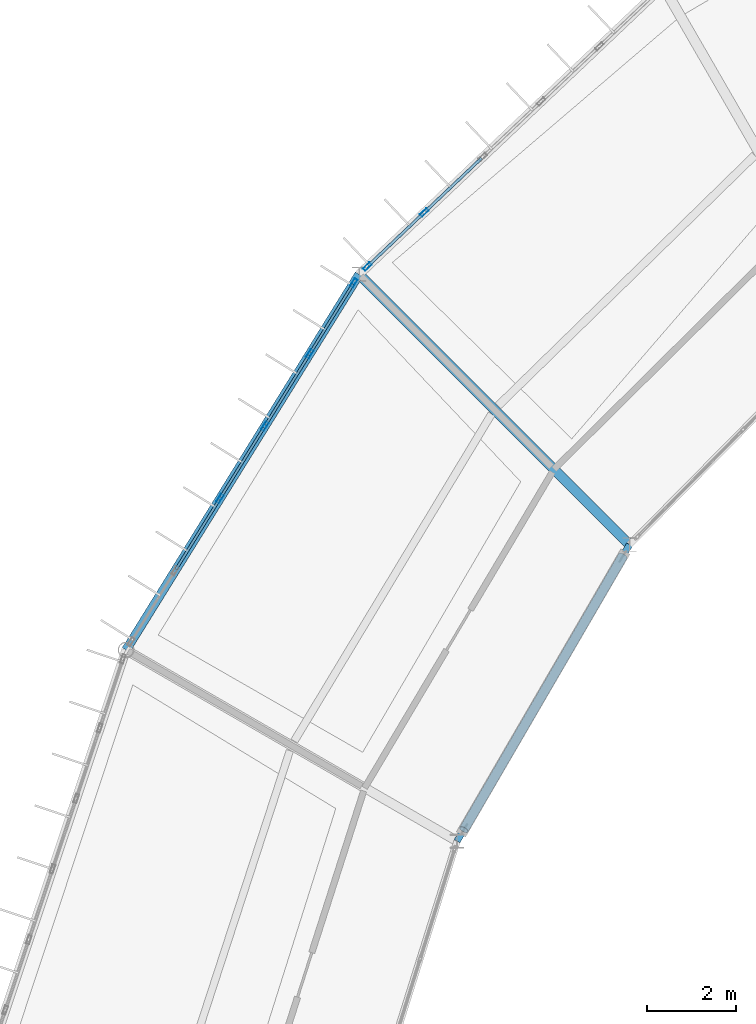
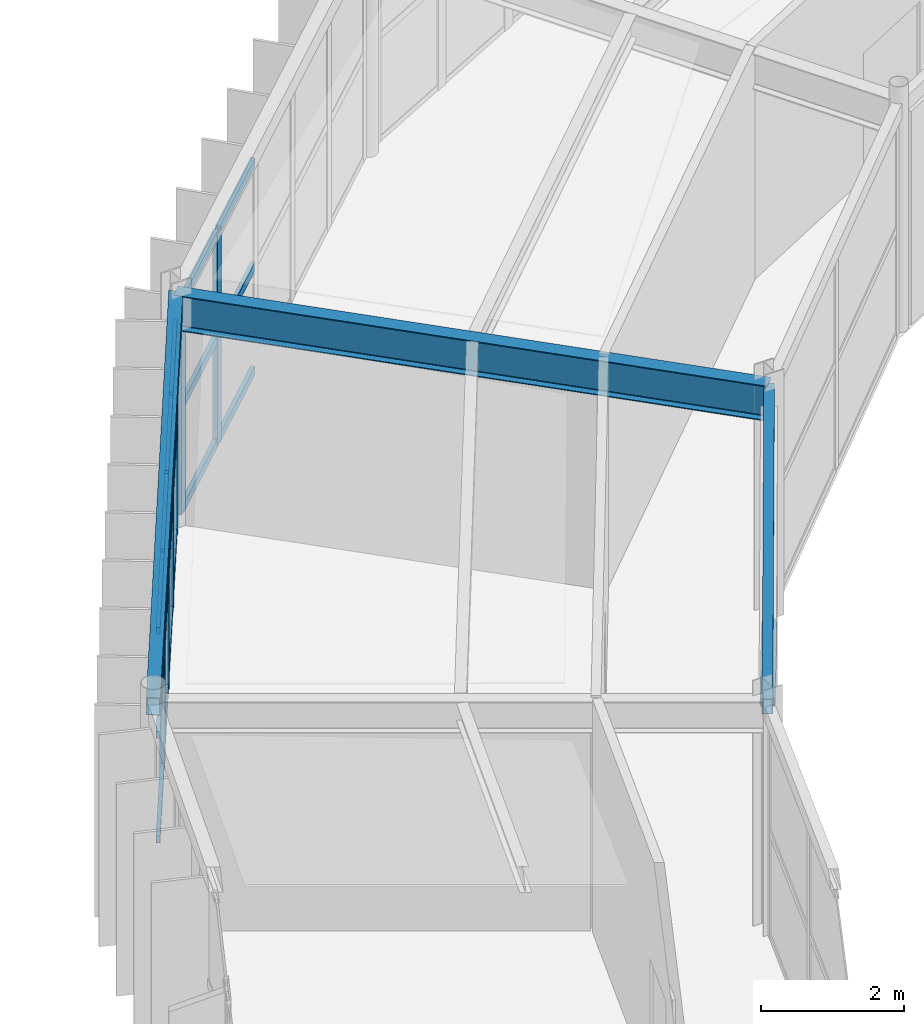
# One storey, part 74 of 148: 25 members, 3 beams, 2 elements without a shape of their own.
"""IFC4 building model written with IfcOpenShell, lengths in metres."""

from ifc_helpers import new_model, si_unit, direction, frame, origin, origin_2d, place, context, subcontext, project, spatial, hollow_rectangle, hollow_circle, i_section, extrude, material, material_profile, profile_set, type_object, element, aggregate, save


model = new_model("IFC4")

# Units and contexts
model_context = context("Model", 3, precision=1e-05, world=origin(), true_north=direction((0.0, 1.0)))
body_context = subcontext(model_context, "Body", "Model", "MODEL_VIEW")
ifc_project = project(units=[si_unit("LENGTHUNIT", "METRE"), si_unit("AREAUNIT", "SQUARE_METRE"), si_unit("VOLUMEUNIT", "CUBIC_METRE"), si_unit("PLANEANGLEUNIT", "RADIAN"), si_unit("MASSUNIT", "GRAM", prefix="KILO")], contexts=[model_context])

# Site, building, storey
site_placement = place(None, origin())
site = spatial("IfcSite", under=ifc_project, at=site_placement, CompositionType="ELEMENT")
building_placement = place(site_placement, origin())
building = spatial("IfcBuilding", under=site, at=building_placement, Name="Karori Crest Natural Sciences Institute", CompositionType="ELEMENT")
storey_placement = place(building_placement, frame((0.0, 0.0, 4.89990234375)))
storey = spatial("IfcBuildingStorey", under=building, at=storey_placement, Name="L01", CompositionType="ELEMENT", Elevation=4.89990234375)

# Beams
ifc_material_1 = material(Name="Hollow structural steel AS/NZS 1163 Grade C350", Category="steel")
ifc_material_profile_1 = material_profile(ifc_material_1, hollow_rectangle(XDim=0.199951171875, YDim=0.300048828125, WallThickness=0.010009765625, at=origin_2d()), Name="RHS300x200x10")
ifc_profile_set_1 = profile_set([ifc_material_profile_1], Name="Hollow structural steel AS/NZS 1163 Grade C350")
beam_type_1 = type_object("IfcBeamType", Name="BT-15", PredefinedType="SPANDREL", material=ifc_profile_set_1)
beam_1_placement = place(storey_placement, frame((43.0654296875, 78.75, 3.7900390625), z_axis=(-0.527315195609, -0.849669750244, 0.0), x_axis=(0.849669750244, -0.527315195609, 0.0)))
element("IfcBeam", 1, at=beam_1_placement, inside=storey, type_object=beam_type_1, Name="Beam B-0215", PredefinedType="SPANDREL", context=body_context, shape_type="SweptSolid", body=[
    extrude(hollow_rectangle(XDim=0.199951171875, YDim=0.300048828125, WallThickness=0.010009765625, at=origin_2d()), origin(), (0.0, 0.0, 1.0), 9.945068359375),
])
ifc_material_profile_2 = material_profile(ifc_material_1, hollow_rectangle(XDim=0.14990234375, YDim=0.25, WallThickness=0.009033203125, at=origin_2d()), Name="RHS250x150x9")
ifc_profile_set_2 = profile_set([ifc_material_profile_2], Name="Hollow structural steel AS/NZS 1163 Grade C350")
beam_type_2 = type_object("IfcBeamType", Name="BT-16", PredefinedType="SPANDREL", material=ifc_profile_set_2)
beam_2_placement = place(storey_placement, frame((49.146484375, 72.668701171875, 3.7900390625), z_axis=(-0.502648511326, -0.864490875638, 0.0), x_axis=(0.864490875638, -0.502648511326, 0.0)))
element("IfcBeam", 2, at=beam_2_placement, inside=storey, type_object=beam_type_2, Name="Beam B-0216", PredefinedType="SPANDREL", context=body_context, shape_type="SweptSolid", body=[
    extrude(hollow_rectangle(XDim=0.14990234375, YDim=0.25, WallThickness=0.009033203125, at=origin_2d()), origin(), (0.0, 0.0, 1.0), 7.714111328125),
])
ifc_material_2 = material(Name="Structural steel AS/NZS 3679.1 Grade 350", Category="steel")
ifc_material_profile_3 = material_profile(ifc_material_2, i_section(OverallWidth=0.22802734375, OverallDepth=0.60205078125, WebThickness=0.010498046875, FlangeThickness=0.014892578125, FilletRadius=0.013916015625, at=origin_2d()), Name="610UB101")
ifc_profile_set_3 = profile_set([ifc_material_profile_3], Name="Structural steel AS/NZS 3679.1 Grade 350")
beam_type_3 = type_object("IfcBeamType", Name="BT-27", PredefinedType="BEAM", material=ifc_profile_set_3)
beam_3_placement = place(storey_placement, frame((49.146484375, 72.668701171875, 3.63916015625), z_axis=(-0.707092586958, 0.70712097513, 0.0), x_axis=(-0.70712097513, -0.707092586958, 0.0)))
element("IfcBeam", 3, at=beam_3_placement, inside=storey, type_object=beam_type_3, Name="Beam B-0217", PredefinedType="BEAM", context=body_context, shape_type="SweptSolid", body=[
    extrude(i_section(OverallWidth=0.22802734375, OverallDepth=0.60205078125, WebThickness=0.010498046875, FlangeThickness=0.014892578125, FilletRadius=0.013916015625, at=origin_2d()), origin(), (0.0, 0.0, 1.0), 8.60009765625),
])

# Curtain wall, members
ifc_material_3 = material(Name="Anodised architectural aluminium 6063-T6", Category="aluminium")
curtain_wall_type_1 = type_object("IfcCurtainWallType", Name="CWT-09", PredefinedType="NOTDEFINED", material=ifc_material_3)
curtain_wall_1_placement = place(storey_placement, origin())
curtain_wall_1 = element("IfcCurtainWall", 4, at=curtain_wall_1_placement, inside=storey, type_object=curtain_wall_type_1, Name="Curtain wall CW-0042", PredefinedType="NOTDEFINED")
ifc_material_profile_4 = material_profile(ifc_material_3, hollow_rectangle(XDim=0.074951171875, YDim=0.199951171875, WallThickness=0.0048828125, at=origin_2d()), Name="CWM200x75x5")
ifc_profile_set_4 = profile_set([ifc_material_profile_4], Name="Anodised architectural aluminium 6063-T6")
member_type_1 = type_object("IfcMemberType", Name="CWM-02", PredefinedType="MULLION", material=ifc_profile_set_4)
member_1_placement = place(storey_placement, frame((43.246826171875, 78.921875, 0.0), z_axis=(0.0, 0.0, 1.0), x_axis=(-0.688250886925, 0.725472753897, 0.0)))
member_1 = element("IfcMember", 5, at=member_1_placement, type_object=member_type_1, Name="CW-0042 mullion 1", PredefinedType="MULLION", context=body_context, shape_type="SweptSolid", body=[
    extrude(hollow_rectangle(XDim=0.074951171875, YDim=0.199951171875, WallThickness=0.0048828125, at=origin_2d()), origin(), (0.0, 0.0, 1.0), 3.625),
])
member_2_placement = place(storey_placement, frame((44.532470703125, 80.1416015625, 0.0), z_axis=(0.0, 0.0, 1.0), x_axis=(-0.688250886925, 0.725472753897, 0.0)))
member_2 = element("IfcMember", 6, at=member_2_placement, type_object=member_type_1, Name="CW-0042 mullion 2", PredefinedType="MULLION", context=body_context, shape_type="SweptSolid", body=[
    extrude(hollow_rectangle(XDim=0.074951171875, YDim=0.199951171875, WallThickness=0.0048828125, at=origin_2d()), origin(), (0.0, 0.0, 1.0), 3.625),
])

curtain_wall_type_2 = type_object("IfcCurtainWallType", Name="CWT-10", PredefinedType="NOTDEFINED", material=ifc_material_3)
curtain_wall_2_placement = place(storey_placement, origin())
curtain_wall_2 = element("IfcCurtainWall", 7, at=curtain_wall_2_placement, inside=storey, type_object=curtain_wall_type_2, Name="Curtain wall CW-0044", PredefinedType="NOTDEFINED")
member_3_placement = place(storey_placement, frame((39.934326171875, 73.704833984375, 0.0), z_axis=(0.0, 0.0, 1.0), x_axis=(-0.849662102168, 0.527327518853, 0.0)))
member_3 = element("IfcMember", 8, at=member_3_placement, type_object=member_type_1, Name="CW-0044 mullion 3", PredefinedType="MULLION", context=body_context, shape_type="SweptSolid", body=[
    extrude(hollow_rectangle(XDim=0.074951171875, YDim=0.199951171875, WallThickness=0.0048828125, at=origin_2d()), origin(), (0.0, 0.0, 1.0), 3.625),
])
member_4_placement = place(storey_placement, frame((40.944580078125, 75.332763671875, 0.0), z_axis=(0.0, 0.0, 1.0), x_axis=(-0.849662102168, 0.527327518853, 0.0)))
member_4 = element("IfcMember", 9, at=member_4_placement, type_object=member_type_1, Name="CW-0044 mullion 4", PredefinedType="MULLION", context=body_context, shape_type="SweptSolid", body=[
    extrude(hollow_rectangle(XDim=0.074951171875, YDim=0.199951171875, WallThickness=0.0048828125, at=origin_2d()), origin(), (0.0, 0.0, 1.0), 3.625),
])
member_5_placement = place(storey_placement, frame((41.954833984375, 76.96044921875, 0.0), z_axis=(0.0, 0.0, 1.0), x_axis=(-0.849662102168, 0.527327518853, 0.0)))
member_5 = element("IfcMember", 10, at=member_5_placement, type_object=member_type_1, Name="CW-0044 mullion 5", PredefinedType="MULLION", context=body_context, shape_type="SweptSolid", body=[
    extrude(hollow_rectangle(XDim=0.074951171875, YDim=0.199951171875, WallThickness=0.0048828125, at=origin_2d()), origin(), (0.0, 0.0, 1.0), 3.625),
])
member_6_placement = place(storey_placement, frame((42.9453125, 78.556396484375, 0.0), z_axis=(0.0, 0.0, 1.0), x_axis=(-0.849662102168, 0.527327518853, 0.0)))
member_6 = element("IfcMember", 11, at=member_6_placement, type_object=member_type_1, Name="CW-0044 mullion 6", PredefinedType="MULLION", context=body_context, shape_type="SweptSolid", body=[
    extrude(hollow_rectangle(XDim=0.074951171875, YDim=0.199951171875, WallThickness=0.0048828125, at=origin_2d()), origin(), (0.0, 0.0, 1.0), 3.625),
])
ifc_material_profile_5 = material_profile(ifc_material_3, hollow_rectangle(XDim=0.06005859375, YDim=0.1201171875, WallThickness=0.00390625, at=origin_2d()), Name="CWT120x60x4")
ifc_profile_set_5 = profile_set([ifc_material_profile_5], Name="Anodised architectural aluminium 6063-T6")
member_type_2 = type_object("IfcMemberType", Name="CWT-TR1", PredefinedType="USERDEFINED", material=ifc_profile_set_5)
member_7_placement = place(storey_placement, frame((38.94384765625, 72.109130859375, 0.030029296875), z_axis=(0.527349655317, 0.84964836317, 0.0), x_axis=(-0.84964836317, 0.527349655317, 0.0)))
member_7 = element("IfcMember", 12, at=member_7_placement, type_object=member_type_2, Name="CW-0044 transom 2.1", ObjectType="TRANSOM", PredefinedType="USERDEFINED", context=body_context, shape_type="SweptSolid", body=[
    extrude(hollow_rectangle(XDim=0.06005859375, YDim=0.1201171875, WallThickness=0.00390625, at=origin_2d()), origin(), (0.0, 0.0, 1.0), 1.8408203125),
])
member_8_placement = place(storey_placement, frame((38.94384765625, 72.109130859375, 1.8125), z_axis=(0.527349655317, 0.84964836317, 0.0), x_axis=(-0.84964836317, 0.527349655317, 0.0)))
member_8 = element("IfcMember", 13, at=member_8_placement, type_object=member_type_2, Name="CW-0044 transom 2.2", ObjectType="TRANSOM", PredefinedType="USERDEFINED", context=body_context, shape_type="SweptSolid", body=[
    extrude(hollow_rectangle(XDim=0.06005859375, YDim=0.1201171875, WallThickness=0.00390625, at=origin_2d()), origin(), (0.0, 0.0, 1.0), 1.8408203125),
])
member_9_placement = place(storey_placement, frame((38.94384765625, 72.109130859375, 3.59521484375), z_axis=(0.527349655317, 0.84964836317, 0.0), x_axis=(-0.84964836317, 0.527349655317, 0.0)))
member_9 = element("IfcMember", 14, at=member_9_placement, type_object=member_type_2, Name="CW-0044 transom 2.3", ObjectType="TRANSOM", PredefinedType="USERDEFINED", context=body_context, shape_type="SweptSolid", body=[
    extrude(hollow_rectangle(XDim=0.06005859375, YDim=0.1201171875, WallThickness=0.00390625, at=origin_2d()), origin(), (0.0, 0.0, 1.0), 1.8408203125),
])
member_10_placement = place(storey_placement, frame((39.9541015625, 73.73681640625, 0.030029296875), z_axis=(0.527349655317, 0.84964836317, 0.0), x_axis=(-0.84964836317, 0.527349655317, 0.0)))
member_10 = element("IfcMember", 15, at=member_10_placement, type_object=member_type_2, Name="CW-0044 transom 3.1", ObjectType="TRANSOM", PredefinedType="USERDEFINED", context=body_context, shape_type="SweptSolid", body=[
    extrude(hollow_rectangle(XDim=0.06005859375, YDim=0.1201171875, WallThickness=0.00390625, at=origin_2d()), origin(), (0.0, 0.0, 1.0), 1.8408203125),
])
member_11_placement = place(storey_placement, frame((39.9541015625, 73.73681640625, 1.8125), z_axis=(0.527349655317, 0.84964836317, 0.0), x_axis=(-0.84964836317, 0.527349655317, 0.0)))
member_11 = element("IfcMember", 16, at=member_11_placement, type_object=member_type_2, Name="CW-0044 transom 3.2", ObjectType="TRANSOM", PredefinedType="USERDEFINED", context=body_context, shape_type="SweptSolid", body=[
    extrude(hollow_rectangle(XDim=0.06005859375, YDim=0.1201171875, WallThickness=0.00390625, at=origin_2d()), origin(), (0.0, 0.0, 1.0), 1.8408203125),
])
member_12_placement = place(storey_placement, frame((39.9541015625, 73.73681640625, 3.59521484375), z_axis=(0.527349655317, 0.84964836317, 0.0), x_axis=(-0.84964836317, 0.527349655317, 0.0)))
member_12 = element("IfcMember", 17, at=member_12_placement, type_object=member_type_2, Name="CW-0044 transom 3.3", ObjectType="TRANSOM", PredefinedType="USERDEFINED", context=body_context, shape_type="SweptSolid", body=[
    extrude(hollow_rectangle(XDim=0.06005859375, YDim=0.1201171875, WallThickness=0.00390625, at=origin_2d()), origin(), (0.0, 0.0, 1.0), 1.8408203125),
])
member_13_placement = place(storey_placement, frame((40.96435546875, 75.364501953125, 0.030029296875), z_axis=(0.527349655317, 0.84964836317, 0.0), x_axis=(-0.84964836317, 0.527349655317, 0.0)))
member_13 = element("IfcMember", 18, at=member_13_placement, type_object=member_type_2, Name="CW-0044 transom 4.1", ObjectType="TRANSOM", PredefinedType="USERDEFINED", context=body_context, shape_type="SweptSolid", body=[
    extrude(hollow_rectangle(XDim=0.06005859375, YDim=0.1201171875, WallThickness=0.00390625, at=origin_2d()), origin(), (0.0, 0.0, 1.0), 1.8408203125),
])
member_14_placement = place(storey_placement, frame((40.96435546875, 75.364501953125, 1.8125), z_axis=(0.527349655317, 0.84964836317, 0.0), x_axis=(-0.84964836317, 0.527349655317, 0.0)))
member_14 = element("IfcMember", 19, at=member_14_placement, type_object=member_type_2, Name="CW-0044 transom 4.2", ObjectType="TRANSOM", PredefinedType="USERDEFINED", context=body_context, shape_type="SweptSolid", body=[
    extrude(hollow_rectangle(XDim=0.06005859375, YDim=0.1201171875, WallThickness=0.00390625, at=origin_2d()), origin(), (0.0, 0.0, 1.0), 1.8408203125),
])
member_15_placement = place(storey_placement, frame((40.96435546875, 75.364501953125, 3.59521484375), z_axis=(0.527349655317, 0.84964836317, 0.0), x_axis=(-0.84964836317, 0.527349655317, 0.0)))
member_15 = element("IfcMember", 20, at=member_15_placement, type_object=member_type_2, Name="CW-0044 transom 4.3", ObjectType="TRANSOM", PredefinedType="USERDEFINED", context=body_context, shape_type="SweptSolid", body=[
    extrude(hollow_rectangle(XDim=0.06005859375, YDim=0.1201171875, WallThickness=0.00390625, at=origin_2d()), origin(), (0.0, 0.0, 1.0), 1.8408203125),
])
member_16_placement = place(storey_placement, frame((41.974609375, 76.9921875, 0.030029296875), z_axis=(0.527319050253, 0.849667357994, 0.0), x_axis=(-0.849667357994, 0.527319050253, 0.0)))
member_16 = element("IfcMember", 21, at=member_16_placement, type_object=member_type_2, Name="CW-0044 transom 5.1", ObjectType="TRANSOM", PredefinedType="USERDEFINED", context=body_context, shape_type="SweptSolid", body=[
    extrude(hollow_rectangle(XDim=0.06005859375, YDim=0.1201171875, WallThickness=0.00390625, at=origin_2d()), origin(), (0.0, 0.0, 1.0), 1.80322265625),
])
member_17_placement = place(storey_placement, frame((41.974609375, 76.9921875, 1.8125), z_axis=(0.527319050253, 0.849667357994, 0.0), x_axis=(-0.849667357994, 0.527319050253, 0.0)))
member_17 = element("IfcMember", 22, at=member_17_placement, type_object=member_type_2, Name="CW-0044 transom 5.2", ObjectType="TRANSOM", PredefinedType="USERDEFINED", context=body_context, shape_type="SweptSolid", body=[
    extrude(hollow_rectangle(XDim=0.06005859375, YDim=0.1201171875, WallThickness=0.00390625, at=origin_2d()), origin(), (0.0, 0.0, 1.0), 1.80322265625),
])
member_18_placement = place(storey_placement, frame((41.974609375, 76.9921875, 3.59521484375), z_axis=(0.527319050253, 0.849667357994, 0.0), x_axis=(-0.849667357994, 0.527319050253, 0.0)))
member_18 = element("IfcMember", 23, at=member_18_placement, type_object=member_type_2, Name="CW-0044 transom 5.3", ObjectType="TRANSOM", PredefinedType="USERDEFINED", context=body_context, shape_type="SweptSolid", body=[
    extrude(hollow_rectangle(XDim=0.06005859375, YDim=0.1201171875, WallThickness=0.00390625, at=origin_2d()), origin(), (0.0, 0.0, 1.0), 1.80322265625),
])
aggregate(curtain_wall_2, [member_3, member_4, member_5, member_6, member_7, member_8, member_9, member_10, member_11, member_12, member_13, member_14, member_15, member_16, member_17, member_18])

# Member
ifc_material_profile_6 = material_profile(ifc_material_3, hollow_rectangle(XDim=0.06494140625, YDim=0.14990234375, WallThickness=0.00390625, at=origin_2d()), Name="CWT150x65x4")
ifc_profile_set_6 = profile_set([ifc_material_profile_6], Name="Anodised architectural aluminium 6063-T6")
member_type_3 = type_object("IfcMemberType", Name="CWT-TR2", PredefinedType="USERDEFINED", material=ifc_profile_set_6)
member_19_placement = place(storey_placement, frame((43.27392578125, 78.94775390625, 0.03271484375), z_axis=(0.725491325222, 0.6882313107, 0.0), x_axis=(-0.6882313107, 0.725491325222, 0.0)))
member_19 = element("IfcMember", 24, at=member_19_placement, type_object=member_type_3, Name="CW-0042 transom 1.1", ObjectType="TRANSOM", PredefinedType="USERDEFINED", context=body_context, shape_type="SweptSolid", body=[
    extrude(hollow_rectangle(XDim=0.06494140625, YDim=0.14990234375, WallThickness=0.00390625, at=origin_2d()), origin(), (0.0, 0.0, 1.0), 1.697021484375),
])

member_20_placement = place(storey_placement, frame((43.27392578125, 78.94775390625, 1.8125), z_axis=(0.725491325222, 0.6882313107, 0.0), x_axis=(-0.6882313107, 0.725491325222, 0.0)))
member_20 = element("IfcMember", 25, at=member_20_placement, type_object=member_type_3, Name="CW-0042 transom 1.2", ObjectType="TRANSOM", PredefinedType="USERDEFINED", context=body_context, shape_type="SweptSolid", body=[
    extrude(hollow_rectangle(XDim=0.06494140625, YDim=0.14990234375, WallThickness=0.00390625, at=origin_2d()), origin(), (0.0, 0.0, 1.0), 1.697021484375),
])

member_21_placement = place(storey_placement, frame((43.27392578125, 78.94775390625, 3.592529296875), z_axis=(0.725491325222, 0.6882313107, 0.0), x_axis=(-0.6882313107, 0.725491325222, 0.0)))
member_21 = element("IfcMember", 26, at=member_21_placement, type_object=member_type_3, Name="CW-0042 transom 1.3", ObjectType="TRANSOM", PredefinedType="USERDEFINED", context=body_context, shape_type="SweptSolid", body=[
    extrude(hollow_rectangle(XDim=0.06494140625, YDim=0.14990234375, WallThickness=0.00390625, at=origin_2d()), origin(), (0.0, 0.0, 1.0), 1.697021484375),
])

member_22_placement = place(storey_placement, frame((44.5595703125, 80.16748046875, 0.03271484375), z_axis=(0.725508743125, 0.688212949347, 0.0), x_axis=(-0.688212949347, 0.725508743125, 0.0)))
member_22 = element("IfcMember", 27, at=member_22_placement, type_object=member_type_3, Name="CW-0042 transom 2.1", ObjectType="TRANSOM", PredefinedType="USERDEFINED", context=body_context, shape_type="SweptSolid", body=[
    extrude(hollow_rectangle(XDim=0.06494140625, YDim=0.14990234375, WallThickness=0.00390625, at=origin_2d()), origin(), (0.0, 0.0, 1.0), 1.734619140625),
])

member_23_placement = place(storey_placement, frame((44.5595703125, 80.16748046875, 1.8125), z_axis=(0.725508743125, 0.688212949347, 0.0), x_axis=(-0.688212949347, 0.725508743125, 0.0)))
member_23 = element("IfcMember", 28, at=member_23_placement, type_object=member_type_3, Name="CW-0042 transom 2.2", ObjectType="TRANSOM", PredefinedType="USERDEFINED", context=body_context, shape_type="SweptSolid", body=[
    extrude(hollow_rectangle(XDim=0.06494140625, YDim=0.14990234375, WallThickness=0.00390625, at=origin_2d()), origin(), (0.0, 0.0, 1.0), 1.734619140625),
])

member_24_placement = place(storey_placement, frame((44.5595703125, 80.16748046875, 3.592529296875), z_axis=(0.725508743125, 0.688212949347, 0.0), x_axis=(-0.688212949347, 0.725508743125, 0.0)))
member_24 = element("IfcMember", 29, at=member_24_placement, type_object=member_type_3, Name="CW-0042 transom 2.3", ObjectType="TRANSOM", PredefinedType="USERDEFINED", context=body_context, shape_type="SweptSolid", body=[
    extrude(hollow_rectangle(XDim=0.06494140625, YDim=0.14990234375, WallThickness=0.00390625, at=origin_2d()), origin(), (0.0, 0.0, 1.0), 1.734619140625),
])

aggregate(curtain_wall_1, [member_1, member_2, member_19, member_20, member_21, member_22, member_23, member_24])

ifc_material_profile_7 = material_profile(ifc_material_1, hollow_circle(Radius=0.109619140625, WallThickness=0.00830078125, at=origin_2d()), Name="CHS219.1x8.2")
ifc_profile_set_7 = profile_set([ifc_material_profile_7], Name="Hollow structural steel AS/NZS 1163 Grade C350")
member_type_4 = type_object("IfcMemberType", Name="MT-02", PredefinedType="BRACE", material=ifc_profile_set_7)
member_25_placement = place(storey_placement, frame((48.995849609375, 72.409423828125, 0.010009765625), z_axis=(-0.44747311219, -0.769597540054, 0.455507892589), x_axis=(0.864491234315, -0.502647894447, 0.0)))
element("IfcMember", 30, at=member_25_placement, inside=storey, type_object=member_type_4, Name="Diagonal Brace M-0010", PredefinedType="BRACE", context=body_context, shape_type="SweptSolid", body=[
    extrude(hollow_circle(Radius=0.109619140625, WallThickness=0.00830078125, at=origin_2d()), origin(), (0.0, 0.0, 1.0), 7.991455078125),
])

save(model, "model.ifc")
